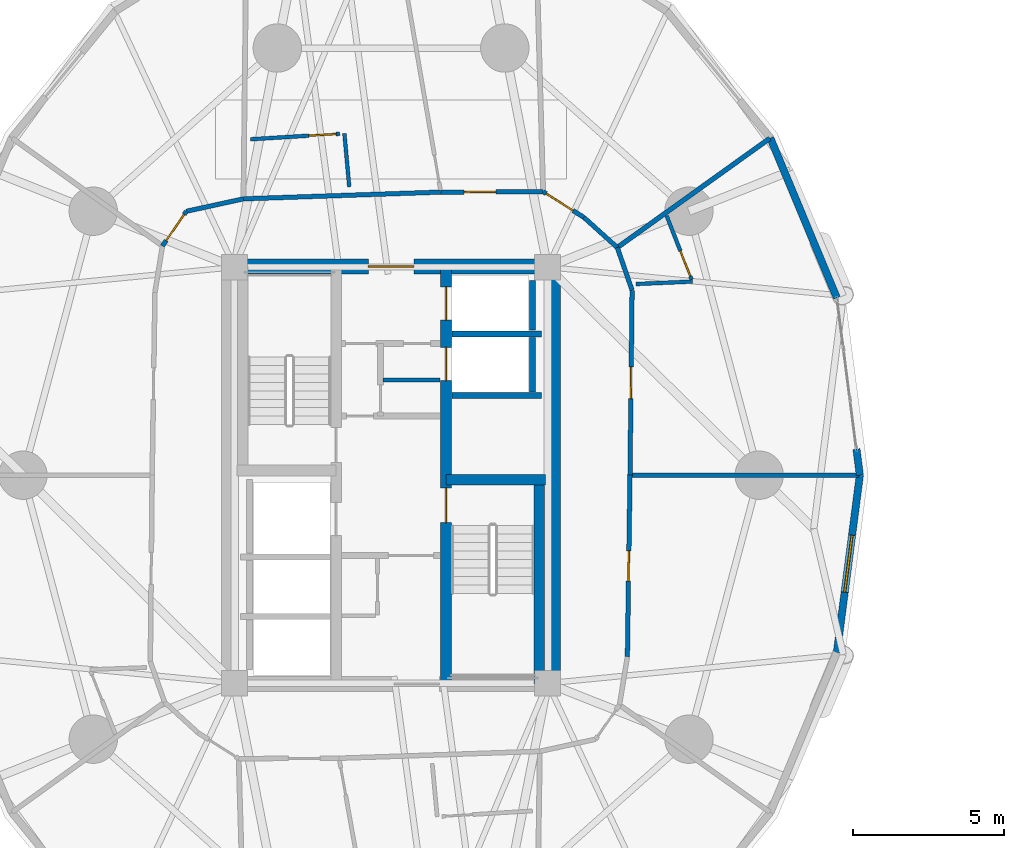
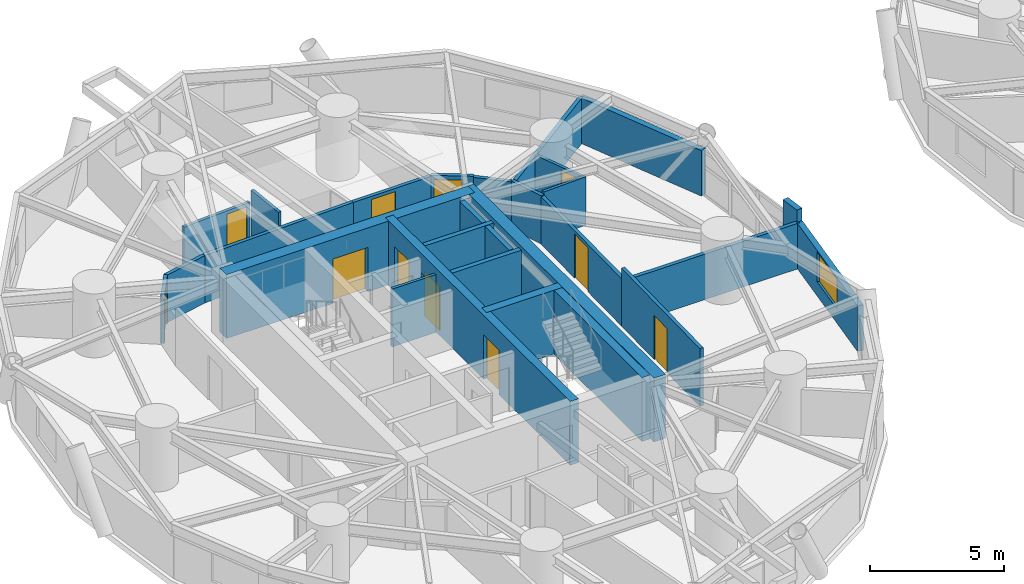
# One storey, part 11 of 18: 28 walls, 11 doors, 1 window, 12 openings.
"""IFC4 building model written with IfcOpenShell, lengths in metres."""

from ifc_helpers import new_model, si_unit, direction, frame, frame_2d, origin, place, context, subcontext, project, spatial, rectangle, extrude, source, transform, mapped, material, layer, layer_set, type_object, element, fill, save


model = new_model("IFC4")

# Units and contexts
model_context = context("Model", 3, precision=1e-05, world=origin(), true_north=direction((0.0, 1.0)))
body_context = subcontext(model_context, "Body", "Model", "MODEL_VIEW")
ifc_project = project(units=[si_unit("LENGTHUNIT", "METRE"), si_unit("AREAUNIT", "SQUARE_METRE"), si_unit("VOLUMEUNIT", "CUBIC_METRE"), si_unit("PLANEANGLEUNIT", "RADIAN"), si_unit("MASSUNIT", "GRAM", prefix="KILO")], contexts=[model_context])

# Site, building, storey
site_placement = place(None, origin())
site = spatial("IfcSite", under=ifc_project, at=site_placement, CompositionType="ELEMENT")
building_placement = place(site_placement, origin())
building = spatial("IfcBuilding", under=site, at=building_placement, Name="Cununo Teusaquillo Station Towers", CompositionType="ELEMENT")
storey_placement = place(building_placement, frame((0.0, 0.0, 36.550048828125)))
storey = spatial("IfcBuildingStorey", under=building, at=storey_placement, Name="L10", CompositionType="ELEMENT", Elevation=36.550048828125)

# Walls
ifc_material_1 = material(Name="Concrete C50/60", Category="concrete")
ifc_layer_1 = layer(ifc_material_1, 0.199951171875)
ifc_layer_set_1 = layer_set([ifc_layer_1], Name="Concrete C50/60")
wall_type_1 = type_object("IfcWallType", Name="WL-CORE-200", PredefinedType="SHEAR", material=ifc_layer_set_1)
for number, where, z_axis, x_axis, name in (
    (1, (18.510009765625, 27.1298828125, 0.0), (0.0, 0.0, 1.0), (1.0, 0.0, 0.0), "L10 Tower A Low-Rise Lift Hoistway South Shear Wall"),
    (2, (18.510009765625, 29.175048828125, 0.0), (0.0, 0.0, 1.0), (1.0, 0.0, 0.0), "L10 Tower A Low-Rise Lift Hoistway Divider Shear Wall"),
):
    element("IfcWall", number, at=place(storey_placement, frame(where, z_axis=z_axis, x_axis=x_axis)), inside=storey, type_object=wall_type_1, Name=name, PredefinedType="SHEAR", context=body_context, shape_type="SweptSolid", body=[
        extrude(rectangle(XDim=2.969970703125, YDim=0.199951171875, at=frame_2d((1.48486328125, 0.0))), origin(), (0.0, 0.0, 1.0), 2.909912109375),
    ])
wall_1_placement = place(storey_placement, frame((21.179931640625, 27.25, 0.0), z_axis=(0.0, 0.0, 1.0), x_axis=(0.0, 1.0, 0.0)))
element("IfcWall", 3, at=wall_1_placement, inside=storey, type_object=wall_type_1, Name="L10 Tower A Low-Rise Lift 1 Shaft Rear Shear Wall", PredefinedType="SHEAR", context=body_context, shape_type="SweptSolid", body=[
    extrude(rectangle(XDim=1.804931640625, YDim=0.199951171875, at=frame_2d((0.90234375, 0.0))), origin(), (0.0, 0.0, 1.0), 2.909912109375),
])
wall_2_placement = place(storey_placement, frame((21.179931640625, 29.294921875, 0.0), z_axis=(0.0, 0.0, 1.0), x_axis=(0.0, 1.0, 0.0)))
element("IfcWall", 4, at=wall_2_placement, inside=storey, type_object=wall_type_1, Name="L10 Tower A Low-Rise Lift 2 Shaft Rear Shear Wall", PredefinedType="SHEAR", context=body_context, shape_type="SweptSolid", body=[
    extrude(rectangle(XDim=1.635009765625, YDim=0.199951171875, at=frame_2d((0.8173828125, 0.0))), origin(), (0.0, 0.0, 1.0), 2.909912109375),
])

# Wall, openings, doors
ifc_material_2 = material(Name="Concrete C50/60", Category="concrete")
ifc_layer_2 = layer(ifc_material_2, 0.35009765625)
ifc_layer_set_2 = layer_set([ifc_layer_2], Name="Concrete C50/60")
wall_type_2 = type_object("IfcWallType", Name="WL-CORE-350", PredefinedType="SHEAR", material=ifc_layer_set_2)
wall_3_placement = place(storey_placement, frame((18.31494140625, 17.60009765625, 0.0), z_axis=(0.0, 0.0, 1.0), x_axis=(0.0, 1.0, 0.0)))
wall_3 = element("IfcWall", 5, at=wall_3_placement, inside=storey, type_object=wall_type_2, Name="L10 Tower A Core Shear Wall IE", PredefinedType="SHEAR", context=body_context, shape_type="SweptSolid", body=[
    extrude(rectangle(XDim=13.7998046875, YDim=0.35009765625, at=frame_2d((6.89990234375, 0.0))), origin(), (0.0, 0.0, 1.0), 2.909912109375),
])
shared_shape_1 = source(origin(), body_context, "Body", "SweptSolid", [
    extrude(rectangle(XDim=1.10009765625, YDim=2.014892578125, at=frame_2d((0.550048828125, 1.00732421875))), frame((0.0, 0.18505859375, 0.0), z_axis=(0.0, -1.0, 0.0), x_axis=(1.0, 0.0, 0.0)), (0.0, 0.0, 1.0), 0.3701171875),
])
opening_1_placement = place(wall_3_placement, frame((10.02490234375, 0.0, 0.0)))
opening_1 = element("IfcOpeningElement", 6, at=opening_1_placement, cuts=wall_3, Name="Opening LD-01", PredefinedType="OPENING", context=body_context, shape_type="MappedRepresentation", body=[
    mapped(shared_shape_1, transform((0.0, 0.0, 0.0), x_axis=(1.0, 0.0, 0.0), y_axis=(0.0, 1.0, 0.0), z_axis=(0.0, 0.0, 1.0), scale=1.0)),
])
opening_2_placement = place(wall_3_placement, frame((12.02490234375, 0.0, 0.0)))
opening_2 = element("IfcOpeningElement", 7, at=opening_2_placement, cuts=wall_3, Name="Opening LD-01", PredefinedType="OPENING", context=body_context, shape_type="MappedRepresentation", body=[
    mapped(shared_shape_1, transform((0.0, 0.0, 0.0), x_axis=(1.0, 0.0, 0.0), y_axis=(0.0, 1.0, 0.0), z_axis=(0.0, 0.0, 1.0), scale=1.0)),
])
shared_shape_2 = source(origin(), body_context, "Body", "SweptSolid", [
    extrude(rectangle(XDim=1.14990234375, YDim=2.02001953125, at=frame_2d((0.574951171875, 1.010009765625))), frame((0.0, 0.18505859375, 0.0), z_axis=(0.0, -1.0, 0.0), x_axis=(1.0, 0.0, 0.0)), (0.0, 0.0, 1.0), 0.3701171875),
])
opening_3_placement = place(wall_3_placement, frame((5.330078125, 0.0, 0.0)))
opening_3 = element("IfcOpeningElement", 8, at=opening_3_placement, cuts=wall_3, Name="Opening D-ST1", PredefinedType="OPENING", context=body_context, shape_type="MappedRepresentation", body=[
    mapped(shared_shape_2, transform((0.0, 0.0, 0.0), x_axis=(1.0, 0.0, 0.0), y_axis=(0.0, 1.0, 0.0), z_axis=(0.0, 0.0, 1.0), scale=1.0)),
])
ifc_material_3 = material(Name="Galvanised fire-rated hollow steel door assembly", Category="steel")
door_type_1 = type_object("IfcDoorType", Name="DR-LIFT-1100", OperationType="SLIDING_TO_LEFT", PredefinedType="DOOR", material=ifc_material_3)
shared_shape_3 = source(origin(), body_context, "Body", "SweptSolid", [
    extrude(rectangle(XDim=1.10009765625, YDim=2.014892578125, at=frame_2d((0.550048828125, 1.00732421875))), frame((0.0, 0.02490234375, 0.0), z_axis=(0.0, -1.0, 0.0), x_axis=(1.0, 0.0, 0.0)), (0.0, 0.0, 1.0), 0.050048828125),
])
door_1_placement = place(opening_1_placement, origin())
door_1 = element("IfcDoor", 9, at=door_1_placement, inside=storey, type_object=door_type_1, Name="L10 Lift PL-T1-L1 Sliding Landing Door", OperationType="SLIDING_TO_RIGHT", OverallHeight=2.014892578125, OverallWidth=1.10009765625, PredefinedType="DOOR", context=body_context, shape_type="MappedRepresentation", body=[
    mapped(shared_shape_3, transform((0.0, 0.0, 0.0), x_axis=(1.0, 0.0, 0.0), y_axis=(0.0, 1.0, 0.0), z_axis=(0.0, 0.0, 1.0), scale=1.0)),
])
fill(opening_1, door_1)
door_2_placement = place(opening_2_placement, origin())
door_2 = element("IfcDoor", 10, at=door_2_placement, inside=storey, type_object=door_type_1, Name="L10 Lift PL-T1-L2 Sliding Landing Door", OperationType="SLIDING_TO_LEFT", OverallHeight=2.014892578125, OverallWidth=1.10009765625, PredefinedType="DOOR", context=body_context, shape_type="MappedRepresentation", body=[
    mapped(shared_shape_3, transform((0.0, 0.0, 0.0), x_axis=(1.0, 0.0, 0.0), y_axis=(0.0, 1.0, 0.0), z_axis=(0.0, 0.0, 1.0), scale=1.0)),
])
fill(opening_2, door_2)
ifc_material_4 = material(Name="Galvanised fire-rated hollow steel door assembly", Category="steel")
door_type_2 = type_object("IfcDoorType", Name="DR-STAIR-1150", OperationType="NOTDEFINED", PredefinedType="DOOR", material=ifc_material_4)
shared_shape_4 = source(origin(), body_context, "Body", "SweptSolid", [
    extrude(rectangle(XDim=1.14990234375, YDim=2.02001953125, at=frame_2d((0.574951171875, 1.010009765625))), frame((0.0, 0.02490234375, 0.0), z_axis=(0.0, -1.0, 0.0), x_axis=(1.0, 0.0, 0.0)), (0.0, 0.0, 1.0), 0.050048828125),
])
door_3_placement = place(opening_3_placement, origin())
door_3 = element("IfcDoor", 11, at=door_3_placement, inside=storey, type_object=door_type_2, Name="L10 Tower A Exit Stair 2 Fire Door", OperationType="SINGLE_SWING_LEFT", OverallHeight=2.02001953125, OverallWidth=1.14990234375, PredefinedType="DOOR", context=body_context, shape_type="MappedRepresentation", body=[
    mapped(shared_shape_4, transform((0.0, 0.0, 0.0), x_axis=(1.0, 0.0, 0.0), y_axis=(0.0, 1.0, 0.0), z_axis=(0.0, 0.0, 1.0), scale=1.0)),
])
fill(opening_3, door_3)

# Walls
wall_4_placement = place(storey_placement, frame((21.405029296875, 17.60009765625, 0.0), z_axis=(0.0, 0.0, 1.0), x_axis=(0.0, 1.0, 0.0)))
element("IfcWall", 12, at=wall_4_placement, inside=storey, type_object=wall_type_2, Name="L10 Tower A Core Shear Wall ST2E", PredefinedType="SHEAR", context=body_context, shape_type="SweptSolid", body=[
    extrude(rectangle(XDim=6.744873046875, YDim=0.35009765625, at=frame_2d((3.37255859375, 0.0))), origin(), (0.0, 0.0, 1.0), 2.909912109375),
])
wall_5_placement = place(storey_placement, frame((18.31494140625, 24.344970703125, 0.0), z_axis=(0.0, 0.0, 1.0), x_axis=(1.0, 0.0, 0.0)))
element("IfcWall", 13, at=wall_5_placement, inside=storey, type_object=wall_type_2, Name="L10 Tower A Core Shear Wall ST2N", PredefinedType="SHEAR", context=body_context, shape_type="SweptSolid", body=[
    extrude(rectangle(XDim=3.28515625, YDim=0.35009765625, at=frame_2d((1.642578125, 0.0))), origin(), (0.0, 0.0, 1.0), 2.909912109375),
])
ifc_material_5 = material(Name="Concrete C60/75", Category="concrete")
ifc_layer_3 = layer(ifc_material_5, 0.5)
ifc_layer_set_3 = layer_set([ifc_layer_3], Name="Concrete C60/75")
wall_type_3 = type_object("IfcWallType", Name="WL-CORE-500", PredefinedType="SHEAR", material=ifc_layer_set_3)
wall_6_placement = place(storey_placement, frame((21.85009765625, 17.35009765625, 0.0), z_axis=(0.0, 0.0, 1.0), x_axis=(0.0, 1.0, 0.0)))
element("IfcWall", 14, at=wall_6_placement, inside=storey, type_object=wall_type_3, Name="L10 Tower A Core Shear Wall E", PredefinedType="SHEAR", context=body_context, shape_type="SweptSolid", body=[
    extrude(rectangle(XDim=14.2998046875, YDim=0.5, at=frame_2d((7.14990234375, 0.0))), origin(), (0.0, 0.0, 1.0), 2.909912109375),
])

# Wall, opening, door
wall_7_placement = place(storey_placement, frame((11.14990234375, 31.39990234375, 0.0), z_axis=(0.0, 0.0, 1.0), x_axis=(1.0, 0.0, 0.0)))
wall_7 = element("IfcWall", 15, at=wall_7_placement, inside=storey, type_object=wall_type_3, Name="L10 Tower A Core Shear Wall N", PredefinedType="SHEAR", context=body_context, shape_type="SweptSolid", body=[
    extrude(rectangle(XDim=10.7001953125, YDim=0.5, at=frame_2d((5.35009765625, 0.0))), origin(), (0.0, 0.0, 1.0), 2.909912109375),
])
shared_shape_5 = source(origin(), body_context, "Body", "SweptSolid", [
    extrude(rectangle(XDim=1.5, YDim=2.02001953125, at=frame_2d((0.75, 1.010009765625))), frame((0.0, 0.260009765625, 0.0), z_axis=(0.0, -1.0, 0.0), x_axis=(1.0, 0.0, 0.0)), (0.0, 0.0, 1.0), 0.52001953125),
])
opening_4_placement = place(wall_7_placement, frame((4.60009765625, 0.0, 0.0)))
opening_4 = element("IfcOpeningElement", 16, at=opening_4_placement, cuts=wall_7, Name="Opening D-LB1", PredefinedType="OPENING", context=body_context, shape_type="MappedRepresentation", body=[
    mapped(shared_shape_5, transform((0.0, 0.0, 0.0), x_axis=(1.0, 0.0, 0.0), y_axis=(0.0, 1.0, 0.0), z_axis=(0.0, 0.0, 1.0), scale=1.0)),
])
ifc_material_6 = material(Name="Galvanised fire-rated hollow steel door assembly", Category="steel")
door_type_3 = type_object("IfcDoorType", Name="DR-LOBBY-1500", OperationType="DOUBLE_DOOR_SINGLE_SWING", PredefinedType="DOOR", material=ifc_material_6)
shared_shape_6 = source(origin(), body_context, "Body", "SweptSolid", [
    extrude(rectangle(XDim=1.5, YDim=2.02001953125, at=frame_2d((0.75, 1.010009765625))), frame((0.0, 0.02490234375, 0.0), z_axis=(0.0, -1.0, 0.0), x_axis=(1.0, 0.0, 0.0)), (0.0, 0.0, 1.0), 0.050048828125),
])
door_4_placement = place(opening_4_placement, origin())
door_4 = element("IfcDoor", 17, at=door_4_placement, inside=storey, type_object=door_type_3, Name="L10 Tower A North Core Lift Lobby Door", OperationType="DOUBLE_DOOR_SINGLE_SWING", OverallHeight=2.02001953125, OverallWidth=1.5, PredefinedType="DOOR", context=body_context, shape_type="MappedRepresentation", body=[
    mapped(shared_shape_6, transform((0.0, 0.0, 0.0), x_axis=(1.0, 0.0, 0.0), y_axis=(0.0, 1.0, 0.0), z_axis=(0.0, 0.0, 1.0), scale=1.0)),
])
fill(opening_4, door_4)

# Walls
ifc_material_7 = material(Name="Precast concrete C40/50", Category="concrete")
ifc_layer_4 = layer(ifc_material_7, 0.239990234375)
ifc_layer_set_4 = layer_set([ifc_layer_4], Name="Precast concrete C40/50")
wall_type_4 = type_object("IfcWallType", Name="WL-EXT-240", PredefinedType="SOLIDWALL", material=ifc_layer_set_4)
wall_8_placement = place(storey_placement, frame((31.88720703125, 25.36279296875, 0.0), z_axis=(0.0, 0.0, 1.0), x_axis=(0.128523364007, -0.991706481225, 0.0)))
element("IfcWall", 18, at=wall_8_placement, inside=storey, type_object=wall_type_4, Name="L10 Tower A Column Pier Cladding Wall C00-PB", PredefinedType="SOLIDWALL", context=body_context, shape_type="SweptSolid", body=[
    extrude(rectangle(XDim=0.8701171875, YDim=0.239990234375, at=frame_2d((0.43505859375, 0.0))), origin(), (0.0, 0.0, 1.0), 2.635009765625),
])
wall_9_placement = place(storey_placement, frame((29.0390625, 35.650390625, 0.0), z_axis=(0.0, 0.0, 1.0), x_axis=(0.38430970593, -0.923204229804, 0.0)))
element("IfcWall", 19, at=wall_9_placement, inside=storey, type_object=wall_type_4, Name="L10 Tower A Exterior Facade Wall C01", PredefinedType="SOLIDWALL", context=body_context, shape_type="SweptSolid", body=[
    extrude(rectangle(XDim=5.728271484375, YDim=0.239990234375, at=frame_2d((2.8642578125, 0.0))), origin(), (0.0, 0.0, 1.0), 2.072998046875),
])

# Wall, opening, window
wall_10_placement = place(storey_placement, frame((31.9990234375, 24.5, 0.0), z_axis=(0.0, 0.0, 1.0), x_axis=(-0.128329107357, -0.991731637191, 0.0)))
wall_10 = element("IfcWall", 20, at=wall_10_placement, inside=storey, type_object=wall_type_4, Name="L10 Tower A Exterior Facade Wall C19", PredefinedType="SOLIDWALL", context=body_context, shape_type="SweptSolid", body=[
    extrude(rectangle(XDim=5.910888671875, YDim=0.239990234375, at=frame_2d((2.95556640625, 0.0))), origin(), (0.0, 0.0, 1.0), 2.072998046875),
])
shared_shape_7 = source(origin(), body_context, "Body", "SweptSolid", [
    extrude(rectangle(XDim=1.89990234375, YDim=1.35009765625, at=frame_2d((0.949951171875, 0.675048828125))), frame((0.0, 0.1298828125, 0.0), z_axis=(0.0, -1.0, 0.0), x_axis=(1.0, 0.0, 0.0)), (0.0, 0.0, 1.0), 0.260009765625),
])
opening_5_placement = place(wall_10_placement, frame((2.0048828125, 0.0, 0.64990234375)))
opening_5 = element("IfcOpeningElement", 21, at=opening_5_placement, cuts=wall_10, Name="Opening WN-02", PredefinedType="OPENING", context=body_context, shape_type="MappedRepresentation", body=[
    mapped(shared_shape_7, transform((0.0, 0.0, 0.0), x_axis=(1.0, 0.0, 0.0), y_axis=(0.0, 1.0, 0.0), z_axis=(0.0, 0.0, 1.0), scale=1.0)),
])
ifc_material_8 = material(Name="Operable acoustic tinted low-E double glazing", Category="glass")
window_type = type_object("IfcWindowType", Name="WIN-OPER-1900", PartitioningType="DOUBLE_PANEL_VERTICAL", PredefinedType="WINDOW", material=ifc_material_8)
shared_shape_8 = source(origin(), body_context, "Body", "SweptSolid", [
    extrude(rectangle(XDim=1.89990234375, YDim=1.35009765625, at=frame_2d((0.949951171875, 0.675048828125))), frame((0.0, 0.030029296875, 0.0), z_axis=(0.0, -1.0, 0.0), x_axis=(1.0, 0.0, 0.0)), (0.0, 0.0, 1.0), 0.06005859375),
])
window_placement = place(opening_5_placement, origin())
window = element("IfcWindow", 22, at=window_placement, inside=storey, type_object=window_type, Name="L10 Tower A Facade Window C19", OverallHeight=1.35009765625, OverallWidth=1.89990234375, PartitioningType="DOUBLE_PANEL_VERTICAL", PredefinedType="WINDOW", context=body_context, shape_type="MappedRepresentation", body=[
    mapped(shared_shape_8, transform((0.0, 0.0, 0.0), x_axis=(1.0, 0.0, 0.0), y_axis=(0.0, 1.0, 0.0), z_axis=(0.0, 0.0, 1.0), scale=1.0)),
])
fill(opening_5, window)

# Walls
ifc_material_9 = material(Name="Fire-rated gypsum plasterboard partition assembly", Category="gypsum")
ifc_layer_5 = layer(ifc_material_9, 0.125)
ifc_layer_set_5 = layer_set([ifc_layer_5], Name="Fire-rated gypsum plasterboard partition assembly")
wall_type_5 = type_object("IfcWallType", Name="WL-PART-125", PredefinedType="PARTITIONING", material=ifc_layer_set_5)
wall_11_placement = place(storey_placement, frame((16.239990234375, 27.64990234375, 0.0), z_axis=(0.0, 0.0, 1.0), x_axis=(1.0, 0.0, 0.0)))
element("IfcWall", 23, at=wall_11_placement, inside=storey, type_object=wall_type_5, Name="L10 Tower A Core Horizontal Split Wall", PredefinedType="PARTITIONING", context=body_context, shape_type="SweptSolid", body=[
    extrude(rectangle(XDim=1.880126953125, YDim=0.125, at=frame_2d((0.93994140625, 0.0))), origin(), (0.0, 0.0, 1.0), 2.635009765625),
])
wall_12_placement = place(storey_placement, frame((24.595947265625, 30.8203125, 0.0), z_axis=(0.0, 0.0, 1.0), x_axis=(0.999051464703, 0.043545044208, 0.0)))
element("IfcWall", 24, at=wall_12_placement, inside=storey, type_object=wall_type_5, Name="L10 Tower A S01 En-suite Side Wall", PredefinedType="PARTITIONING", context=body_context, shape_type="SweptSolid", body=[
    extrude(rectangle(XDim=1.866943359375, YDim=0.125, at=frame_2d((0.93359375, 0.0))), origin(), (0.0, 0.0, 1.0), 2.204833984375),
])

# Wall, opening, door
wall_13_placement = place(storey_placement, frame((26.435546875, 30.967529296875, 0.0), z_axis=(0.0, 0.0, 1.0), x_axis=(-0.363813993333, 0.931471619672, 0.0)))
wall_13 = element("IfcWall", 25, at=wall_13_placement, inside=storey, type_object=wall_type_5, Name="L10 Tower A S01 En-suite Back Wall", PredefinedType="PARTITIONING", context=body_context, shape_type="SweptSolid", body=[
    extrude(rectangle(XDim=2.264892578125, YDim=0.125, at=frame_2d((1.13232421875, 0.0))), origin(), (0.0, 0.0, 1.0), 2.158935546875),
])
shared_shape_9 = source(origin(), body_context, "Body", "SweptSolid", [
    extrude(rectangle(XDim=0.89990234375, YDim=2.0048828125, at=frame_2d((0.449951171875, 1.00244140625))), frame((0.0, 0.072509765625, 0.0), z_axis=(0.0, -1.0, 0.0), x_axis=(1.0, 0.0, 0.0)), (0.0, 0.0, 1.0), 0.14501953125),
])
opening_6_placement = place(wall_13_placement, frame((0.1201171875, 0.0, 0.0)))
opening_6 = element("IfcOpeningElement", 26, at=opening_6_placement, cuts=wall_13, Name="Opening D-IN1", PredefinedType="OPENING", context=body_context, shape_type="MappedRepresentation", body=[
    mapped(shared_shape_9, transform((0.0, 0.0, 0.0), x_axis=(1.0, 0.0, 0.0), y_axis=(0.0, 1.0, 0.0), z_axis=(0.0, 0.0, 1.0), scale=1.0)),
])
ifc_material_10 = material(Name="Acoustic solid-core hardwood leaf assembly", Category="wood")
door_type_4 = type_object("IfcDoorType", Name="DR-INT-900", OperationType="NOTDEFINED", PredefinedType="DOOR", material=ifc_material_10)
shared_shape_10 = source(origin(), body_context, "Body", "SweptSolid", [
    extrude(rectangle(XDim=0.89990234375, YDim=2.0048828125, at=frame_2d((0.449951171875, 1.00244140625))), frame((0.0, 0.02490234375, 0.0), z_axis=(0.0, -1.0, 0.0), x_axis=(1.0, 0.0, 0.0)), (0.0, 0.0, 1.0), 0.050048828125),
])
door_5_placement = place(opening_6_placement, origin())
door_5 = element("IfcDoor", 27, at=door_5_placement, inside=storey, type_object=door_type_4, Name="L10 Tower A S01 En-suite Bathroom Door", OperationType="SINGLE_SWING_RIGHT", OverallHeight=2.0048828125, OverallWidth=0.89990234375, PredefinedType="DOOR", context=body_context, shape_type="MappedRepresentation", body=[
    mapped(shared_shape_10, transform((0.0, 0.0, 0.0), x_axis=(1.0, 0.0, 0.0), y_axis=(0.0, 1.0, 0.0), z_axis=(0.0, 0.0, 1.0), scale=1.0)),
])
fill(opening_6, door_5)

# Wall
wall_14_placement = place(storey_placement, frame((15.116943359375, 34.03515625, 0.0), z_axis=(0.0, 0.0, 1.0), x_axis=(-0.090498430303, 0.995896598103, 0.0)))
element("IfcWall", 28, at=wall_14_placement, inside=storey, type_object=wall_type_5, Name="L10 Tower A S03 En-suite Side Wall", PredefinedType="PARTITIONING", context=body_context, shape_type="SweptSolid", body=[
    extrude(rectangle(XDim=1.769775390625, YDim=0.125, at=frame_2d((0.884765625, 0.0))), origin(), (0.0, 0.0, 1.0), 2.635009765625),
])

# Wall, opening, door
wall_15_placement = place(storey_placement, frame((14.80322265625, 35.7880859375, 0.0), z_axis=(0.0, 0.0, 1.0), x_axis=(-0.998116078946, -0.06135383403, 0.0)))
wall_15 = element("IfcWall", 29, at=wall_15_placement, inside=storey, type_object=wall_type_5, Name="L10 Tower A S03 En-suite Back Wall", PredefinedType="PARTITIONING", context=body_context, shape_type="SweptSolid", body=[
    extrude(rectangle(XDim=2.95263671875, YDim=0.125, at=frame_2d((1.476318359375, 0.0))), origin(), (0.0, 0.0, 1.0), 2.158935546875),
])
opening_7_placement = place(wall_15_placement, frame((0.1201171875, 0.0, 0.0)))
opening_7 = element("IfcOpeningElement", 30, at=opening_7_placement, cuts=wall_15, Name="Opening D-IN1", PredefinedType="OPENING", context=body_context, shape_type="MappedRepresentation", body=[
    mapped(shared_shape_9, transform((0.0, 0.0, 0.0), x_axis=(1.0, 0.0, 0.0), y_axis=(0.0, 1.0, 0.0), z_axis=(0.0, 0.0, 1.0), scale=1.0)),
])
door_6_placement = place(opening_7_placement, origin())
door_6 = element("IfcDoor", 31, at=door_6_placement, inside=storey, type_object=door_type_4, Name="L10 Tower A S03 En-suite Bathroom Door", OperationType="SINGLE_SWING_RIGHT", OverallHeight=2.0048828125, OverallWidth=0.89990234375, PredefinedType="DOOR", context=body_context, shape_type="MappedRepresentation", body=[
    mapped(shared_shape_10, transform((0.0, 0.0, 0.0), x_axis=(1.0, 0.0, 0.0), y_axis=(0.0, 1.0, 0.0), z_axis=(0.0, 0.0, 1.0), scale=1.0)),
])
fill(opening_7, door_6)

ifc_material_11 = material(Name="Fire-rated gypsum plasterboard partition assembly", Category="gypsum")
ifc_layer_6 = layer(ifc_material_11, 0.14990234375)
ifc_layer_set_6 = layer_set([ifc_layer_6], Name="Fire-rated gypsum plasterboard partition assembly")
wall_type_6 = type_object("IfcWallType", Name="WL-PART-150", PredefinedType="PARTITIONING", material=ifc_layer_set_6)
wall_16_placement = place(storey_placement, frame((24.39990234375, 24.5, 0.0), z_axis=(0.0, 0.0, 1.0), x_axis=(0.011299841544, 0.999936154752, 0.0)))
wall_16 = element("IfcWall", 32, at=wall_16_placement, inside=storey, type_object=wall_type_6, Name="L10 Tower A Corridor Ring Wall C00", PredefinedType="PARTITIONING", context=body_context, shape_type="SweptSolid", body=[
    extrude(rectangle(XDim=6.114501953125, YDim=0.14990234375, at=frame_2d((3.05712890625, 0.0))), origin(), (0.0, 0.0, 1.0), 2.158935546875),
])
shared_shape_11 = source(origin(), body_context, "Body", "SweptSolid", [
    extrude(rectangle(XDim=1.050048828125, YDim=2.014892578125, at=frame_2d((0.52490234375, 1.00732421875))), frame((0.0, 0.0849609375, 0.0), z_axis=(0.0, -1.0, 0.0), x_axis=(1.0, 0.0, 0.0)), (0.0, 0.0, 1.0), 0.169921875),
])
opening_8_placement = place(wall_16_placement, frame((2.5322265625, 0.0, 0.0)))
opening_8 = element("IfcOpeningElement", 33, at=opening_8_placement, cuts=wall_16, Name="Opening D-SU1", PredefinedType="OPENING", context=body_context, shape_type="MappedRepresentation", body=[
    mapped(shared_shape_11, transform((0.0, 0.0, 0.0), x_axis=(1.0, 0.0, 0.0), y_axis=(0.0, 1.0, 0.0), z_axis=(0.0, 0.0, 1.0), scale=1.0)),
])
ifc_material_12 = material(Name="Acoustic solid-core hardwood leaf assembly", Category="wood")
door_type_5 = type_object("IfcDoorType", Name="DR-SUITE-1050", OperationType="NOTDEFINED", PredefinedType="DOOR", material=ifc_material_12)
shared_shape_12 = source(origin(), body_context, "Body", "SweptSolid", [
    extrude(rectangle(XDim=1.050048828125, YDim=2.014892578125, at=frame_2d((0.52490234375, 1.00732421875))), frame((0.0, 0.02490234375, 0.0), z_axis=(0.0, -1.0, 0.0), x_axis=(1.0, 0.0, 0.0)), (0.0, 0.0, 1.0), 0.050048828125),
])
door_7_placement = place(opening_8_placement, origin())
door_7 = element("IfcDoor", 34, at=door_7_placement, inside=storey, type_object=door_type_5, Name="L10 Tower A Premier Corner Hotel Suite Entrance Door", OperationType="SINGLE_SWING_LEFT", OverallHeight=2.014892578125, OverallWidth=1.050048828125, PredefinedType="DOOR", context=body_context, shape_type="MappedRepresentation", body=[
    mapped(shared_shape_12, transform((0.0, 0.0, 0.0), x_axis=(1.0, 0.0, 0.0), y_axis=(0.0, 1.0, 0.0), z_axis=(0.0, 0.0, 1.0), scale=1.0)),
])
fill(opening_8, door_7)

# Walls
wall_17_placement = place(storey_placement, frame((24.468994140625, 30.614013671875, 0.0), z_axis=(0.0, 0.0, 1.0), x_axis=(-0.327228335485, 0.944945298129, 0.0)))
element("IfcWall", 35, at=wall_17_placement, inside=storey, type_object=wall_type_6, Name="L10 Tower A Corridor Ring Wall C01", PredefinedType="PARTITIONING", context=body_context, shape_type="SweptSolid", body=[
    extrude(rectangle(XDim=1.4951171875, YDim=0.14990234375, at=frame_2d((0.74755859375, 0.0))), origin(), (0.0, 0.0, 1.0), 2.204833984375),
])
wall_18_placement = place(storey_placement, frame((23.979736328125, 32.02685546875, 0.0), z_axis=(0.0, 0.0, 1.0), x_axis=(-0.742353224332, 0.670008724065, 0.0)))
element("IfcWall", 36, at=wall_18_placement, inside=storey, type_object=wall_type_6, Name="L10 Tower A Corridor Ring Wall C02", PredefinedType="PARTITIONING", context=body_context, shape_type="SweptSolid", body=[
    extrude(rectangle(XDim=1.48486328125, YDim=0.14990234375, at=frame_2d((0.742431640625, 0.0))), origin(), (0.0, 0.0, 1.0), 2.158935546875),
])

# Wall, opening, door
wall_19_placement = place(storey_placement, frame((22.87744140625, 33.021728515625, 0.0), z_axis=(0.0, 0.0, 1.0), x_axis=(-0.845895608855, 0.533348496689, 0.0)))
wall_19 = element("IfcWall", 37, at=wall_19_placement, inside=storey, type_object=wall_type_6, Name="L10 Tower A Corridor Ring Wall C03", PredefinedType="PARTITIONING", context=body_context, shape_type="SweptSolid", body=[
    extrude(rectangle(XDim=1.5966796875, YDim=0.14990234375, at=frame_2d((0.79833984375, 0.0))), origin(), (0.0, 0.0, 1.0), 2.204833984375),
])
opening_9_placement = place(wall_19_placement, frame((0.4267578125, 0.0, 0.0)))
opening_9 = element("IfcOpeningElement", 38, at=opening_9_placement, cuts=wall_19, Name="Opening D-SU1", PredefinedType="OPENING", context=body_context, shape_type="MappedRepresentation", body=[
    mapped(shared_shape_11, transform((0.0, 0.0, 0.0), x_axis=(1.0, 0.0, 0.0), y_axis=(0.0, 1.0, 0.0), z_axis=(0.0, 0.0, 1.0), scale=1.0)),
])
door_8_placement = place(opening_9_placement, origin())
door_8 = element("IfcDoor", 39, at=door_8_placement, inside=storey, type_object=door_type_5, Name="L10 Tower A Hotel Club Breakfast Lounge Entrance Door", OperationType="SINGLE_SWING_LEFT", OverallHeight=2.014892578125, OverallWidth=1.050048828125, PredefinedType="DOOR", context=body_context, shape_type="MappedRepresentation", body=[
    mapped(shared_shape_12, transform((0.0, 0.0, 0.0), x_axis=(1.0, 0.0, 0.0), y_axis=(0.0, 1.0, 0.0), z_axis=(0.0, 0.0, 1.0), scale=1.0)),
])
fill(opening_9, door_8)

wall_20_placement = place(storey_placement, frame((21.52685546875, 33.873291015625, 0.0), z_axis=(0.0, 0.0, 1.0), x_axis=(-0.999991838845, -0.004040079574, 0.0)))
wall_20 = element("IfcWall", 40, at=wall_20_placement, inside=storey, type_object=wall_type_6, Name="L10 Tower A Corridor Ring Wall C04", PredefinedType="PARTITIONING", context=body_context, shape_type="SweptSolid", body=[
    extrude(rectangle(XDim=3.384033203125, YDim=0.14990234375, at=frame_2d((1.69189453125, 0.0))), origin(), (0.0, 0.0, 1.0), 2.158935546875),
])
opening_10_placement = place(wall_20_placement, frame((1.5595703125, 0.0, 0.0)))
opening_10 = element("IfcOpeningElement", 41, at=opening_10_placement, cuts=wall_20, Name="Opening D-SU1", PredefinedType="OPENING", context=body_context, shape_type="MappedRepresentation", body=[
    mapped(shared_shape_11, transform((0.0, 0.0, 0.0), x_axis=(1.0, 0.0, 0.0), y_axis=(0.0, 1.0, 0.0), z_axis=(0.0, 0.0, 1.0), scale=1.0)),
])
door_9_placement = place(opening_10_placement, origin())
door_9 = element("IfcDoor", 42, at=door_9_placement, inside=storey, type_object=door_type_5, Name="L10 Tower A Executive Corner Hotel Suite Entrance Door", OperationType="SINGLE_SWING_RIGHT", OverallHeight=2.014892578125, OverallWidth=1.050048828125, PredefinedType="DOOR", context=body_context, shape_type="MappedRepresentation", body=[
    mapped(shared_shape_12, transform((0.0, 0.0, 0.0), x_axis=(1.0, 0.0, 0.0), y_axis=(0.0, 1.0, 0.0), z_axis=(0.0, 0.0, 1.0), scale=1.0)),
])
fill(opening_10, door_9)

# Walls
wall_21_placement = place(storey_placement, frame((18.142822265625, 33.859619140625, 0.0), z_axis=(0.0, 0.0, 1.0), x_axis=(-0.999419208319, -0.034077060363, 0.0)))
element("IfcWall", 43, at=wall_21_placement, inside=storey, type_object=wall_type_6, Name="L10 Tower A Corridor Ring Wall C05", PredefinedType="PARTITIONING", context=body_context, shape_type="SweptSolid", body=[
    extrude(rectangle(XDim=6.52685546875, YDim=0.14990234375, at=frame_2d((3.263427734375, 0.0))), origin(), (0.0, 0.0, 1.0), 2.158935546875),
])
wall_22_placement = place(storey_placement, frame((11.619873046875, 33.63720703125, 0.0), z_axis=(0.0, 0.0, 1.0), x_axis=(-0.97702579435, -0.213121085711, 0.0)))
element("IfcWall", 44, at=wall_22_placement, inside=storey, type_object=wall_type_6, Name="L10 Tower A Corridor Ring Wall C06", PredefinedType="PARTITIONING", context=body_context, shape_type="SweptSolid", body=[
    extrude(rectangle(XDim=1.934814453125, YDim=0.14990234375, at=frame_2d((0.96728515625, 0.0))), origin(), (0.0, 0.0, 1.0), 2.158935546875),
])

# Wall, opening, door
wall_23_placement = place(storey_placement, frame((9.7294921875, 33.224853515625, 0.0), z_axis=(0.0, 0.0, 1.0), x_axis=(-0.567183649484, -0.82359134755, 0.0)))
wall_23 = element("IfcWall", 45, at=wall_23_placement, inside=storey, type_object=wall_type_6, Name="L10 Tower A Corridor Ring Wall C07", PredefinedType="PARTITIONING", context=body_context, shape_type="SweptSolid", body=[
    extrude(rectangle(XDim=1.39208984375, YDim=0.14990234375, at=frame_2d((0.696044921875, 0.0))), origin(), (0.0, 0.0, 1.0), 2.158935546875),
])
opening_11_placement = place(wall_23_placement, frame((0.1201171875, 0.0, 0.0)))
opening_11 = element("IfcOpeningElement", 46, at=opening_11_placement, cuts=wall_23, Name="Opening D-SU1", PredefinedType="OPENING", context=body_context, shape_type="MappedRepresentation", body=[
    mapped(shared_shape_11, transform((0.0, 0.0, 0.0), x_axis=(1.0, 0.0, 0.0), y_axis=(0.0, 1.0, 0.0), z_axis=(0.0, 0.0, 1.0), scale=1.0)),
])
door_10_placement = place(opening_11_placement, origin())
door_10 = element("IfcDoor", 47, at=door_10_placement, inside=storey, type_object=door_type_5, Name="L10 Tower A Hotel Executive Meeting Room Entrance Door", OperationType="SINGLE_SWING_LEFT", OverallHeight=2.014892578125, OverallWidth=1.050048828125, PredefinedType="DOOR", context=body_context, shape_type="MappedRepresentation", body=[
    mapped(shared_shape_12, transform((0.0, 0.0, 0.0), x_axis=(1.0, 0.0, 0.0), y_axis=(0.0, 1.0, 0.0), z_axis=(0.0, 0.0, 1.0), scale=1.0)),
])
fill(opening_11, door_10)

wall_24_placement = place(storey_placement, frame((24.3134765625, 18.496337890625, 0.0), z_axis=(0.0, 0.0, 1.0), x_axis=(0.014394019188, 0.999896400739, 0.0)))
wall_24 = element("IfcWall", 48, at=wall_24_placement, inside=storey, type_object=wall_type_6, Name="L10 Tower A Corridor Ring Wall C19", PredefinedType="PARTITIONING", context=body_context, shape_type="SweptSolid", body=[
    extrude(rectangle(XDim=6.00439453125, YDim=0.14990234375, at=frame_2d((3.002197265625, 0.0))), origin(), (0.0, 0.0, 1.0), 2.635009765625),
])
shared_shape_13 = source(origin(), body_context, "Body", "SweptSolid", [
    extrude(rectangle(XDim=1.0, YDim=2.014892578125, at=frame_2d((0.5, 1.00732421875))), frame((0.0, 0.0849609375, 0.0), z_axis=(0.0, -1.0, 0.0), x_axis=(1.0, 0.0, 0.0)), (0.0, 0.0, 1.0), 0.169921875),
])
opening_12_placement = place(wall_24_placement, frame((2.502197265625, 0.0, 0.0)))
opening_12 = element("IfcOpeningElement", 49, at=opening_12_placement, cuts=wall_24, Name="Opening D-AC1", PredefinedType="OPENING", context=body_context, shape_type="MappedRepresentation", body=[
    mapped(shared_shape_13, transform((0.0, 0.0, 0.0), x_axis=(1.0, 0.0, 0.0), y_axis=(0.0, 1.0, 0.0), z_axis=(0.0, 0.0, 1.0), scale=1.0)),
])
ifc_material_13 = material(Name="Acoustic solid-core hardwood leaf assembly", Category="wood")
door_type_6 = type_object("IfcDoorType", Name="DR-ACC-1000", OperationType="NOTDEFINED", PredefinedType="DOOR", material=ifc_material_13)
shared_shape_14 = source(origin(), body_context, "Body", "SweptSolid", [
    extrude(rectangle(XDim=1.0, YDim=2.014892578125, at=frame_2d((0.5, 1.00732421875))), frame((0.0, 0.02490234375, 0.0), z_axis=(0.0, -1.0, 0.0), x_axis=(1.0, 0.0, 0.0)), (0.0, 0.0, 1.0), 0.050048828125),
])
door_11_placement = place(opening_12_placement, origin())
door_11 = element("IfcDoor", 50, at=door_11_placement, inside=storey, type_object=door_type_6, Name="L10 Tower A Public Accessible Restroom WC Entrance Door", OperationType="SINGLE_SWING_RIGHT", OverallHeight=2.014892578125, OverallWidth=1.0, PredefinedType="DOOR", context=body_context, shape_type="MappedRepresentation", body=[
    mapped(shared_shape_14, transform((0.0, 0.0, 0.0), x_axis=(1.0, 0.0, 0.0), y_axis=(0.0, 1.0, 0.0), z_axis=(0.0, 0.0, 1.0), scale=1.0)),
])
fill(opening_12, door_11)

# Walls
ifc_material_14 = material(Name="Fire-rated gypsum plasterboard partition assembly", Category="gypsum")
ifc_layer_7 = layer(ifc_material_14, 0.159912109375)
ifc_layer_set_7 = layer_set([ifc_layer_7], Name="Fire-rated gypsum plasterboard partition assembly")
wall_type_7 = type_object("IfcWallType", Name="WL-PART-160", PredefinedType="PARTITIONING", material=ifc_layer_set_7)
wall_25_placement = place(storey_placement, frame((24.39990234375, 24.5, 0.0), z_axis=(0.0, 0.0, 1.0), x_axis=(1.0, 0.0, 0.0)))
element("IfcWall", 51, at=wall_25_placement, inside=storey, type_object=wall_type_7, Name="L10 Tower A Radial Suite Partition R01", PredefinedType="PARTITIONING", context=body_context, shape_type="SweptSolid", body=[
    extrude(rectangle(XDim=7.5791015625, YDim=0.159912109375, at=frame_2d((3.78955078125, 0.0))), origin(), (0.0, 0.0, 1.0), 2.072998046875),
])
wall_26_placement = place(storey_placement, frame((23.979736328125, 32.02685546875, 0.0), z_axis=(0.0, 0.0, 1.0), x_axis=(0.813012139255, 0.582246735864, 0.0)))
element("IfcWall", 52, at=wall_26_placement, inside=storey, type_object=wall_type_7, Name="L10 Tower A Radial Suite Partition R02", PredefinedType="PARTITIONING", context=body_context, shape_type="SweptSolid", body=[
    extrude(rectangle(XDim=6.202880859375, YDim=0.159912109375, at=frame_2d((3.1015625, 0.0))), origin(), (0.0, 0.0, 1.0), 2.072998046875),
])

save(model, "model.ifc")
